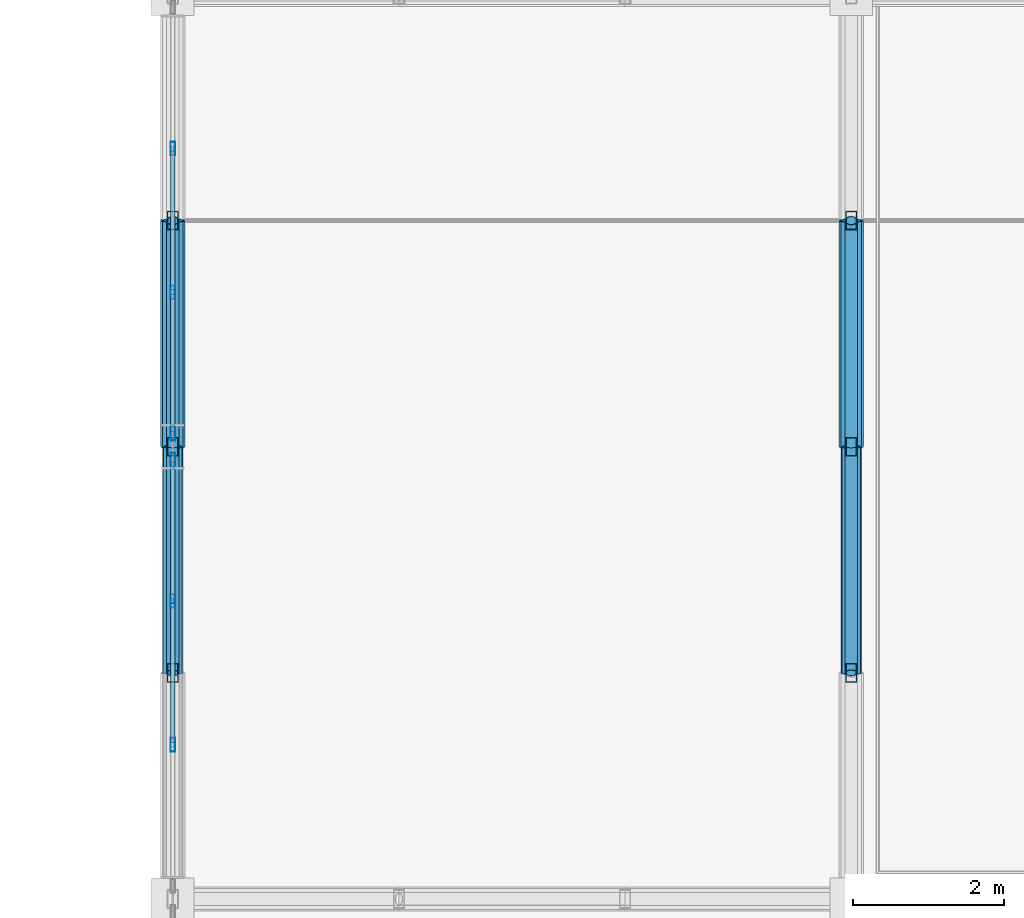
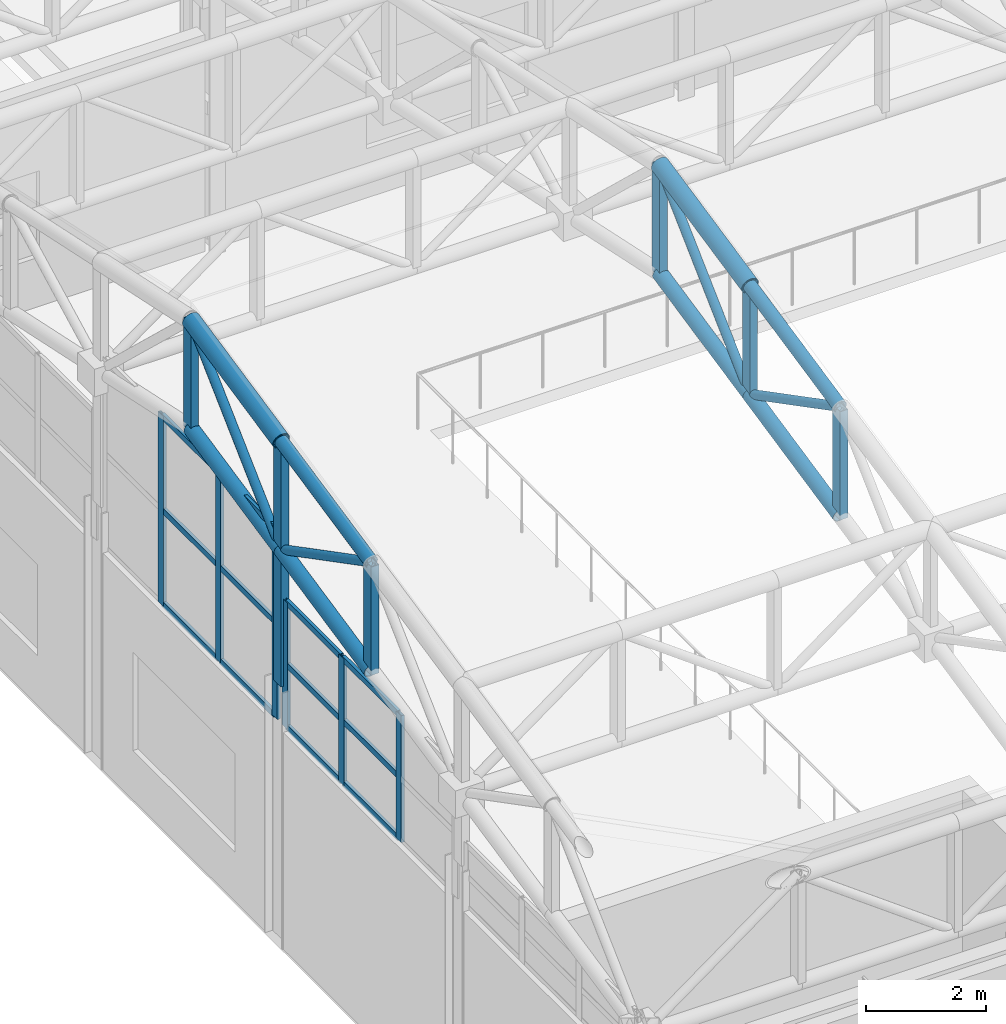
# One storey, part 13 of 112: 36 members, 2 elements without a shape of their own.
"""IFC4 building model written with IfcOpenShell, lengths in metres."""

from ifc_helpers import new_model, si_unit, direction, frame, origin, origin_2d, place, context, subcontext, project, spatial, hollow_rectangle, hollow_circle, extrude, material, material_profile, profile_set, type_object, element, aggregate, save


model = new_model("IFC4")

# Units and contexts
model_context = context("Model", 3, precision=1e-05, world=origin(), true_north=direction((0.0, 1.0)))
body_context = subcontext(model_context, "Body", "Model", "MODEL_VIEW")
ifc_project = project(units=[si_unit("LENGTHUNIT", "METRE"), si_unit("AREAUNIT", "SQUARE_METRE"), si_unit("VOLUMEUNIT", "CUBIC_METRE"), si_unit("PLANEANGLEUNIT", "RADIAN"), si_unit("MASSUNIT", "GRAM", prefix="KILO")], contexts=[model_context])

# Site, building, storey
site_placement = place(None, origin())
site = spatial("IfcSite", under=ifc_project, at=site_placement, CompositionType="ELEMENT")
building_placement = place(site_placement, origin())
building = spatial("IfcBuilding", under=site, at=building_placement, Name="Kaldris Quays Convention Centre", CompositionType="ELEMENT")
storey_placement = place(building_placement, frame((0.0, 0.0, 16.800048828125)))
storey = spatial("IfcBuildingStorey", under=building, at=storey_placement, Name="L03", CompositionType="ELEMENT", Elevation=16.800048828125)

# Curtain wall, members
ifc_material_1 = material(Name="Anodized aluminium AW-6060 and triple glazing", Category="aluminium")
curtain_wall_type = type_object("IfcCurtainWallType", Name="UNITISED CURTAIN WALL CW05", PredefinedType="NOTDEFINED", material=ifc_material_1)
curtain_wall_1_placement = place(storey_placement, origin())
curtain_wall_1 = element("IfcCurtainWall", 1, at=curtain_wall_1_placement, inside=storey, type_object=curtain_wall_type, Name="L03 Unitised Curtain Wall CW05 260", PredefinedType="NOTDEFINED")
ifc_material_2 = material(Name="Anodized aluminium AW-6060", Category="aluminium")
ifc_material_profile_1 = material_profile(ifc_material_2, hollow_rectangle(XDim=0.06005859375, YDim=0.179931640625, WallThickness=0.0048828125, at=origin_2d()), Name="RHS 180x60x5")
ifc_profile_set_1 = profile_set([ifc_material_profile_1], Name="Anodized aluminium AW-6060")
member_type_1 = type_object("IfcMemberType", Name="CURTAIN MULLION CWM2", PredefinedType="MULLION", material=ifc_profile_set_1)
member_1_placement = place(storey_placement, frame((20.0, 24.046630859375, 4.39501953125), z_axis=(0.0, 0.0, 1.0), x_axis=(-1.0, 0.0, 0.0)))
member_1 = element("IfcMember", 2, at=member_1_placement, type_object=member_type_1, Name="CW05 mullion 2", PredefinedType="MULLION", context=body_context, shape_type="SweptSolid", body=[
    extrude(hollow_rectangle(XDim=0.06005859375, YDim=0.179931640625, WallThickness=0.0048828125, at=origin_2d()), origin(), (0.0, 0.0, 1.0), 2.574951171875),
])
member_2_placement = place(storey_placement, frame((20.0, 25.953369140625, 4.39501953125), z_axis=(0.0, 0.0, 1.0), x_axis=(-1.0, 0.0, 0.0)))
member_2 = element("IfcMember", 3, at=member_2_placement, type_object=member_type_1, Name="CW05 mullion 3", PredefinedType="MULLION", context=body_context, shape_type="SweptSolid", body=[
    extrude(hollow_rectangle(XDim=0.06005859375, YDim=0.179931640625, WallThickness=0.0048828125, at=origin_2d()), origin(), (0.0, 0.0, 1.0), 2.574951171875),
])
member_3_placement = place(storey_placement, frame((20.0, 27.830078125, 4.39501953125), z_axis=(0.0, 0.0, 1.0), x_axis=(-1.0, 0.0, 0.0)))
member_3 = element("IfcMember", 4, at=member_3_placement, type_object=member_type_1, Name="CW05 mullion 4", PredefinedType="MULLION", context=body_context, shape_type="SweptSolid", body=[
    extrude(hollow_rectangle(XDim=0.06005859375, YDim=0.179931640625, WallThickness=0.0048828125, at=origin_2d()), origin(), (0.0, 0.0, 1.0), 2.574951171875),
])

curtain_wall_2_placement = place(storey_placement, origin())
curtain_wall_2 = element("IfcCurtainWall", 5, at=curtain_wall_2_placement, inside=storey, type_object=curtain_wall_type, Name="L03 Unitised Curtain Wall CW05 261", PredefinedType="NOTDEFINED")
member_4_placement = place(storey_placement, frame((20.0, 28.169921875, 4.39501953125), z_axis=(0.0, 0.0, 1.0), x_axis=(-1.0, 0.0, 0.0)))
member_4 = element("IfcMember", 6, at=member_4_placement, type_object=member_type_1, Name="CW05 mullion 1", PredefinedType="MULLION", context=body_context, shape_type="SweptSolid", body=[
    extrude(hollow_rectangle(XDim=0.06005859375, YDim=0.179931640625, WallThickness=0.0048828125, at=origin_2d()), origin(), (0.0, 0.0, 1.0), 3.85498046875),
])
member_5_placement = place(storey_placement, frame((20.0, 30.046630859375, 4.39501953125), z_axis=(0.0, 0.0, 1.0), x_axis=(-1.0, 0.0, 0.0)))
member_5 = element("IfcMember", 7, at=member_5_placement, type_object=member_type_1, Name="CW05 mullion 2", PredefinedType="MULLION", context=body_context, shape_type="SweptSolid", body=[
    extrude(hollow_rectangle(XDim=0.06005859375, YDim=0.179931640625, WallThickness=0.0048828125, at=origin_2d()), origin(), (0.0, 0.0, 1.0), 3.85498046875),
])
member_6_placement = place(storey_placement, frame((20.0, 31.953369140625, 4.39501953125), z_axis=(0.0, 0.0, 1.0), x_axis=(-1.0, 0.0, 0.0)))
member_6 = element("IfcMember", 8, at=member_6_placement, type_object=member_type_1, Name="CW05 mullion 3", PredefinedType="MULLION", context=body_context, shape_type="SweptSolid", body=[
    extrude(hollow_rectangle(XDim=0.06005859375, YDim=0.179931640625, WallThickness=0.0048828125, at=origin_2d()), origin(), (0.0, 0.0, 1.0), 3.85498046875),
])

# Member
ifc_material_profile_2 = material_profile(ifc_material_2, hollow_rectangle(XDim=0.06005859375, YDim=0.1201171875, WallThickness=0.00390625, at=origin_2d()), Name="RHS 120x60x4")
ifc_profile_set_2 = profile_set([ifc_material_profile_2], Name="Anodized aluminium AW-6060")
member_type_2 = type_object("IfcMemberType", Name="CURTAIN TRANSOM CWT1", PredefinedType="USERDEFINED", material=ifc_profile_set_2)
member_7_placement = place(storey_placement, frame((20.0, 24.07666015625, 4.425048828125), z_axis=(0.0, 1.0, 0.0), x_axis=(-1.0, 0.0, 0.0)))
member_7 = element("IfcMember", 9, at=member_7_placement, type_object=member_type_2, Name="CW05 transom 2.1", ObjectType="TRANSOM", PredefinedType="USERDEFINED", context=body_context, shape_type="SweptSolid", body=[
    extrude(hollow_rectangle(XDim=0.06005859375, YDim=0.1201171875, WallThickness=0.00390625, at=origin_2d()), origin(), (0.0, 0.0, 1.0), 1.8466796875),
])

member_8_placement = place(storey_placement, frame((20.0, 24.07666015625, 5.682861328125), z_axis=(0.0, 1.0, 0.0), x_axis=(-1.0, 0.0, 0.0)))
member_8 = element("IfcMember", 10, at=member_8_placement, type_object=member_type_2, Name="CW05 transom 2.2", ObjectType="TRANSOM", PredefinedType="USERDEFINED", context=body_context, shape_type="SweptSolid", body=[
    extrude(hollow_rectangle(XDim=0.06005859375, YDim=0.1201171875, WallThickness=0.00390625, at=origin_2d()), origin(), (0.0, 0.0, 1.0), 1.8466796875),
])

member_9_placement = place(storey_placement, frame((20.0, 24.07666015625, 6.93994140625), z_axis=(0.0, 1.0, 0.0), x_axis=(-1.0, 0.0, 0.0)))
member_9 = element("IfcMember", 11, at=member_9_placement, type_object=member_type_2, Name="CW05 transom 2.3", ObjectType="TRANSOM", PredefinedType="USERDEFINED", context=body_context, shape_type="SweptSolid", body=[
    extrude(hollow_rectangle(XDim=0.06005859375, YDim=0.1201171875, WallThickness=0.00390625, at=origin_2d()), origin(), (0.0, 0.0, 1.0), 1.8466796875),
])

member_10_placement = place(storey_placement, frame((20.0, 25.9833984375, 4.425048828125), z_axis=(0.0, 1.0, 0.0), x_axis=(-1.0, 0.0, 0.0)))
member_10 = element("IfcMember", 12, at=member_10_placement, type_object=member_type_2, Name="CW05 transom 3.1", ObjectType="TRANSOM", PredefinedType="USERDEFINED", context=body_context, shape_type="SweptSolid", body=[
    extrude(hollow_rectangle(XDim=0.06005859375, YDim=0.1201171875, WallThickness=0.00390625, at=origin_2d()), origin(), (0.0, 0.0, 1.0), 1.816650390625),
])

member_11_placement = place(storey_placement, frame((20.0, 25.9833984375, 5.682861328125), z_axis=(0.0, 1.0, 0.0), x_axis=(-1.0, 0.0, 0.0)))
member_11 = element("IfcMember", 13, at=member_11_placement, type_object=member_type_2, Name="CW05 transom 3.2", ObjectType="TRANSOM", PredefinedType="USERDEFINED", context=body_context, shape_type="SweptSolid", body=[
    extrude(hollow_rectangle(XDim=0.06005859375, YDim=0.1201171875, WallThickness=0.00390625, at=origin_2d()), origin(), (0.0, 0.0, 1.0), 1.816650390625),
])

member_12_placement = place(storey_placement, frame((20.0, 25.9833984375, 6.93994140625), z_axis=(0.0, 1.0, 0.0), x_axis=(-1.0, 0.0, 0.0)))
member_12 = element("IfcMember", 14, at=member_12_placement, type_object=member_type_2, Name="CW05 transom 3.3", ObjectType="TRANSOM", PredefinedType="USERDEFINED", context=body_context, shape_type="SweptSolid", body=[
    extrude(hollow_rectangle(XDim=0.06005859375, YDim=0.1201171875, WallThickness=0.00390625, at=origin_2d()), origin(), (0.0, 0.0, 1.0), 1.816650390625),
])

aggregate(curtain_wall_1, [member_1, member_2, member_3, member_7, member_8, member_9, member_10, member_11, member_12])

member_13_placement = place(storey_placement, frame((20.0, 28.199951171875, 4.425048828125), z_axis=(0.0, 1.0, 0.0), x_axis=(-1.0, 0.0, 0.0)))
member_13 = element("IfcMember", 15, at=member_13_placement, type_object=member_type_2, Name="CW05 transom 1.1", ObjectType="TRANSOM", PredefinedType="USERDEFINED", context=body_context, shape_type="SweptSolid", body=[
    extrude(hollow_rectangle(XDim=0.06005859375, YDim=0.1201171875, WallThickness=0.00390625, at=origin_2d()), origin(), (0.0, 0.0, 1.0), 1.816650390625),
])

member_14_placement = place(storey_placement, frame((20.0, 28.199951171875, 6.322998046875), z_axis=(0.0, 1.0, 0.0), x_axis=(-1.0, 0.0, 0.0)))
member_14 = element("IfcMember", 16, at=member_14_placement, type_object=member_type_2, Name="CW05 transom 1.2", ObjectType="TRANSOM", PredefinedType="USERDEFINED", context=body_context, shape_type="SweptSolid", body=[
    extrude(hollow_rectangle(XDim=0.06005859375, YDim=0.1201171875, WallThickness=0.00390625, at=origin_2d()), origin(), (0.0, 0.0, 1.0), 1.816650390625),
])

member_15_placement = place(storey_placement, frame((20.0, 28.199951171875, 8.219970703125), z_axis=(0.0, 1.0, 0.0), x_axis=(-1.0, 0.0, 0.0)))
member_15 = element("IfcMember", 17, at=member_15_placement, type_object=member_type_2, Name="CW05 transom 1.3", ObjectType="TRANSOM", PredefinedType="USERDEFINED", context=body_context, shape_type="SweptSolid", body=[
    extrude(hollow_rectangle(XDim=0.06005859375, YDim=0.1201171875, WallThickness=0.00390625, at=origin_2d()), origin(), (0.0, 0.0, 1.0), 1.816650390625),
])

member_16_placement = place(storey_placement, frame((20.0, 30.07666015625, 4.425048828125), z_axis=(0.0, 1.0, 0.0), x_axis=(-1.0, 0.0, 0.0)))
member_16 = element("IfcMember", 18, at=member_16_placement, type_object=member_type_2, Name="CW05 transom 2.1", ObjectType="TRANSOM", PredefinedType="USERDEFINED", context=body_context, shape_type="SweptSolid", body=[
    extrude(hollow_rectangle(XDim=0.06005859375, YDim=0.1201171875, WallThickness=0.00390625, at=origin_2d()), origin(), (0.0, 0.0, 1.0), 1.8466796875),
])

member_17_placement = place(storey_placement, frame((20.0, 30.07666015625, 6.322998046875), z_axis=(0.0, 1.0, 0.0), x_axis=(-1.0, 0.0, 0.0)))
member_17 = element("IfcMember", 19, at=member_17_placement, type_object=member_type_2, Name="CW05 transom 2.2", ObjectType="TRANSOM", PredefinedType="USERDEFINED", context=body_context, shape_type="SweptSolid", body=[
    extrude(hollow_rectangle(XDim=0.06005859375, YDim=0.1201171875, WallThickness=0.00390625, at=origin_2d()), origin(), (0.0, 0.0, 1.0), 1.8466796875),
])

member_18_placement = place(storey_placement, frame((20.0, 30.07666015625, 8.219970703125), z_axis=(0.0, 1.0, 0.0), x_axis=(-1.0, 0.0, 0.0)))
member_18 = element("IfcMember", 20, at=member_18_placement, type_object=member_type_2, Name="CW05 transom 2.3", ObjectType="TRANSOM", PredefinedType="USERDEFINED", context=body_context, shape_type="SweptSolid", body=[
    extrude(hollow_rectangle(XDim=0.06005859375, YDim=0.1201171875, WallThickness=0.00390625, at=origin_2d()), origin(), (0.0, 0.0, 1.0), 1.8466796875),
])

aggregate(curtain_wall_2, [member_4, member_5, member_6, member_13, member_14, member_15, member_16, member_17, member_18])

# Members
ifc_material_3 = material(Name="Steel S355J2H", Category="steel")
ifc_material_profile_3 = material_profile(ifc_material_3, hollow_circle(Radius=0.161865234375, WallThickness=0.01611328125, at=origin_2d()), Name="CHS 323.9x16")
ifc_profile_set_3 = profile_set([ifc_material_profile_3], Name="Steel S355J2H")
member_type_3 = type_object("IfcMemberType", Name="STRUCTURAL MEMBER SC03", PredefinedType="CHORD", material=ifc_profile_set_3)
for number, where, z_axis, x_axis, name in (
    (21, (20.0, 28.0, 10.09033203125), (0.0, 0.977983741211, 0.20868110103), (-1.0, 0.0, 0.0), "SF-V3 Top Chord Y 110"),
    (22, (29.0, 28.0, 10.09033203125), (0.0, 0.977983741211, 0.20868110103), (-1.0, 0.0, 0.0), "SF-V3 Top Chord Y 120"),
):
    element("IfcMember", number, at=place(storey_placement, frame(where, z_axis=z_axis, x_axis=x_axis)), inside=storey, type_object=member_type_3, Name=name, PredefinedType="CHORD", context=body_context, shape_type="SweptSolid", body=[
        extrude(hollow_circle(Radius=0.161865234375, WallThickness=0.01611328125, at=origin_2d()), origin(), (0.0, 0.0, 1.0), 3.067626953125),
    ])
ifc_material_profile_4 = material_profile(ifc_material_3, hollow_circle(Radius=0.136474609375, WallThickness=0.012451171875, at=origin_2d()), Name="CHS 273x12.5")
ifc_profile_set_4 = profile_set([ifc_material_profile_4], Name="Steel S355J2H")
member_type_4 = type_object("IfcMemberType", Name="STRUCTURAL MEMBER SC04", PredefinedType="CHORD", material=ifc_profile_set_4)
member_19_placement = place(storey_placement, frame((20.0, 25.0, 7.25048828125), z_axis=(0.0, 0.977999981478, 0.208604976518), x_axis=(-1.0, 0.0, 0.0)))
element("IfcMember", 23, at=member_19_placement, inside=storey, type_object=member_type_4, Name="SF-V3 Bottom Chord Y 109", PredefinedType="CHORD", context=body_context, shape_type="SweptSolid", body=[
    extrude(hollow_circle(Radius=0.136474609375, WallThickness=0.012451171875, at=origin_2d()), origin(), (0.0, 0.0, 1.0), 3.0673828125),
])
member_20_placement = place(storey_placement, frame((20.0, 28.0, 7.890380859375), z_axis=(0.0, 0.977983741211, 0.20868110103), x_axis=(-1.0, 0.0, 0.0)))
element("IfcMember", 24, at=member_20_placement, inside=storey, type_object=member_type_4, Name="SF-V3 Bottom Chord Y 110", PredefinedType="CHORD", context=body_context, shape_type="SweptSolid", body=[
    extrude(hollow_circle(Radius=0.136474609375, WallThickness=0.012451171875, at=origin_2d()), origin(), (0.0, 0.0, 1.0), 3.067626953125),
])
member_21_placement = place(storey_placement, frame((29.0, 25.0, 7.25048828125), z_axis=(0.0, 0.977999981478, 0.208604976518), x_axis=(-1.0, 0.0, 0.0)))
element("IfcMember", 25, at=member_21_placement, inside=storey, type_object=member_type_4, Name="SF-V3 Bottom Chord Y 119", PredefinedType="CHORD", context=body_context, shape_type="SweptSolid", body=[
    extrude(hollow_circle(Radius=0.136474609375, WallThickness=0.012451171875, at=origin_2d()), origin(), (0.0, 0.0, 1.0), 3.0673828125),
])
member_22_placement = place(storey_placement, frame((29.0, 28.0, 7.890380859375), z_axis=(0.0, 0.977983741211, 0.20868110103), x_axis=(-1.0, 0.0, 0.0)))
element("IfcMember", 26, at=member_22_placement, inside=storey, type_object=member_type_4, Name="SF-V3 Bottom Chord Y 120", PredefinedType="CHORD", context=body_context, shape_type="SweptSolid", body=[
    extrude(hollow_circle(Radius=0.136474609375, WallThickness=0.012451171875, at=origin_2d()), origin(), (0.0, 0.0, 1.0), 3.067626953125),
])
ifc_material_profile_5 = material_profile(ifc_material_3, hollow_circle(Radius=0.122314453125, WallThickness=0.010009765625, at=origin_2d()), Name="CHS 244.5x10")
ifc_profile_set_5 = profile_set([ifc_material_profile_5], Name="Steel S355J2H")
member_type_5 = type_object("IfcMemberType", Name="STRUCTURAL MEMBER SC05", PredefinedType="CHORD", material=ifc_profile_set_5)
for number, where, z_axis, x_axis, name in (
    (27, (20.0, 25.0, 9.450439453125), (0.0, 0.977999981478, 0.208604976518), (-1.0, 0.0, 0.0), "SF-V3 Top Chord Y 109"),
    (28, (29.0, 25.0, 9.450439453125), (0.0, 0.977999981478, 0.208604976518), (-1.0, 0.0, 0.0), "SF-V3 Top Chord Y 119"),
):
    element("IfcMember", number, at=place(storey_placement, frame(where, z_axis=z_axis, x_axis=x_axis)), inside=storey, type_object=member_type_5, Name=name, PredefinedType="CHORD", context=body_context, shape_type="SweptSolid", body=[
        extrude(hollow_circle(Radius=0.122314453125, WallThickness=0.010009765625, at=origin_2d()), origin(), (0.0, 0.0, 1.0), 3.0673828125),
    ])
ifc_material_profile_6 = material_profile(ifc_material_3, hollow_circle(Radius=0.084228515625, WallThickness=0.008056640625, at=origin_2d()), Name="CHS 168.3x8")
ifc_profile_set_6 = profile_set([ifc_material_profile_6], Name="Steel S355J2H")
member_type_6 = type_object("IfcMemberType", Name="STRUCTURAL MEMBER SWB2", PredefinedType="BRACE", material=ifc_profile_set_6)
member_23_placement = place(storey_placement, frame((20.0, 28.0, 7.890380859375), z_axis=(0.0, -0.887209708306, 0.461366376634), x_axis=(1.0, 0.0, 0.0)))
element("IfcMember", 29, at=member_23_placement, inside=storey, type_object=member_type_6, Name="SF-V3 Web Diagonal Y 109", PredefinedType="BRACE", context=body_context, shape_type="SweptSolid", body=[
    extrude(hollow_circle(Radius=0.084228515625, WallThickness=0.008056640625, at=origin_2d()), origin(), (0.0, 0.0, 1.0), 3.38134765625),
])
member_24_placement = place(storey_placement, frame((20.0, 28.0, 7.890380859375), z_axis=(0.0, 0.726196449967, 0.687487247922), x_axis=(-1.0, 0.0, 0.0)))
element("IfcMember", 30, at=member_24_placement, inside=storey, type_object=member_type_6, Name="SF-V3 Web Diagonal Y 110", PredefinedType="BRACE", context=body_context, shape_type="SweptSolid", body=[
    extrude(hollow_circle(Radius=0.084228515625, WallThickness=0.008056640625, at=origin_2d()), origin(), (0.0, 0.0, 1.0), 4.131103515625),
])
member_25_placement = place(storey_placement, frame((29.0, 28.0, 7.890380859375), z_axis=(0.0, -0.887209708306, 0.461366376634), x_axis=(1.0, 0.0, 0.0)))
element("IfcMember", 31, at=member_25_placement, inside=storey, type_object=member_type_6, Name="SF-V3 Web Diagonal Y 119", PredefinedType="BRACE", context=body_context, shape_type="SweptSolid", body=[
    extrude(hollow_circle(Radius=0.084228515625, WallThickness=0.008056640625, at=origin_2d()), origin(), (0.0, 0.0, 1.0), 3.38134765625),
])
member_26_placement = place(storey_placement, frame((29.0, 28.0, 7.890380859375), z_axis=(0.0, 0.726196449967, 0.687487247922), x_axis=(-1.0, 0.0, 0.0)))
element("IfcMember", 32, at=member_26_placement, inside=storey, type_object=member_type_6, Name="SF-V3 Web Diagonal Y 120", PredefinedType="BRACE", context=body_context, shape_type="SweptSolid", body=[
    extrude(hollow_circle(Radius=0.084228515625, WallThickness=0.008056640625, at=origin_2d()), origin(), (0.0, 0.0, 1.0), 4.131103515625),
])
ifc_material_profile_7 = material_profile(ifc_material_3, hollow_rectangle(XDim=0.14990234375, YDim=0.25, WallThickness=0.010009765625, at=origin_2d()), Name="RHS 250x150x10")
ifc_profile_set_7 = profile_set([ifc_material_profile_7], Name="Steel S355J2H")
member_type_7 = type_object("IfcMemberType", Name="STRUCTURAL MEMBER TTV1", PredefinedType="POST", material=ifc_profile_set_7)
member_27_placement = place(storey_placement, frame((20.0, 25.0, 7.25048828125), z_axis=(0.0, 0.0, 1.0), x_axis=(1.0, 0.0, 0.0)))
element("IfcMember", 33, at=member_27_placement, inside=storey, type_object=member_type_7, Name="SF-V3 Space-Frame Post 4", PredefinedType="POST", context=body_context, shape_type="SweptSolid", body=[
    extrude(hollow_rectangle(XDim=0.14990234375, YDim=0.25, WallThickness=0.010009765625, at=origin_2d()), origin(), (0.0, 0.0, 1.0), 2.199951171875),
])
member_28_placement = place(storey_placement, frame((20.0, 28.0, 5.19384765625), z_axis=(0.0, 0.0, 1.0), x_axis=(1.0, 0.0, 0.0)))
element("IfcMember", 34, at=member_28_placement, inside=storey, type_object=member_type_7, Name="SF-V3 Space-Frame Post 5", PredefinedType="POST", context=body_context, shape_type="SweptSolid", body=[
    extrude(hollow_rectangle(XDim=0.14990234375, YDim=0.25, WallThickness=0.010009765625, at=origin_2d()), origin(), (0.0, 0.0, 1.0), 4.896484375),
])
for number, where, z_axis, x_axis, name in (
    (35, (20.0, 31.0, 8.530517578125), (0.0, 0.0, 1.0), (1.0, 0.0, 0.0), "SF-V3 Space-Frame Post 6"),
    (36, (29.0, 25.0, 7.25048828125), (0.0, 0.0, 1.0), (1.0, 0.0, 0.0), "SF-V3 Space-Frame Post 25"),
    (37, (29.0, 28.0, 7.890380859375), (0.0, 0.0, 1.0), (1.0, 0.0, 0.0), "SF-V3 Space-Frame Post 26"),
    (38, (29.0, 31.0, 8.530517578125), (0.0, 0.0, 1.0), (1.0, 0.0, 0.0), "SF-V3 Space-Frame Post 27"),
):
    element("IfcMember", number, at=place(storey_placement, frame(where, z_axis=z_axis, x_axis=x_axis)), inside=storey, type_object=member_type_7, Name=name, PredefinedType="POST", context=body_context, shape_type="SweptSolid", body=[
        extrude(hollow_rectangle(XDim=0.14990234375, YDim=0.25, WallThickness=0.010009765625, at=origin_2d()), origin(), (0.0, 0.0, 1.0), 2.199951171875),
    ])

save(model, "model.ifc")
